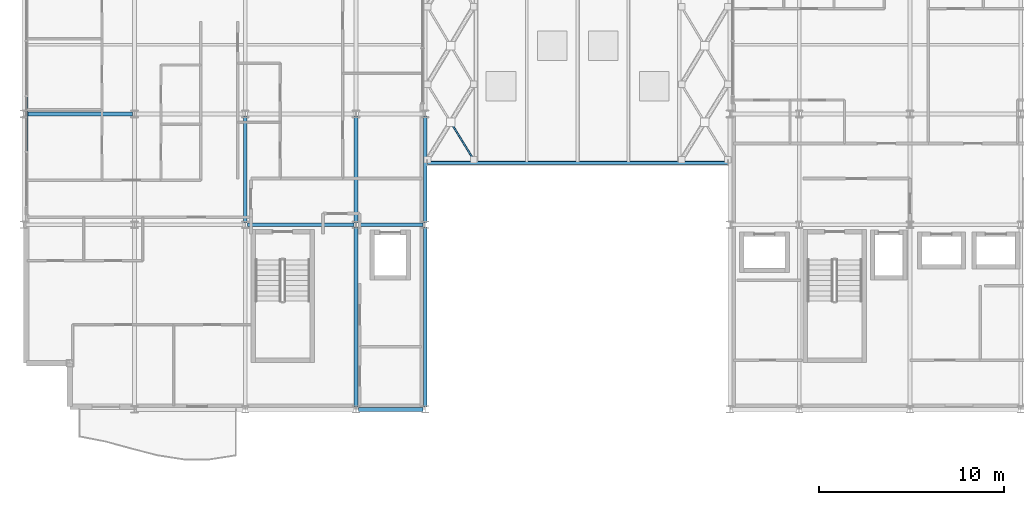
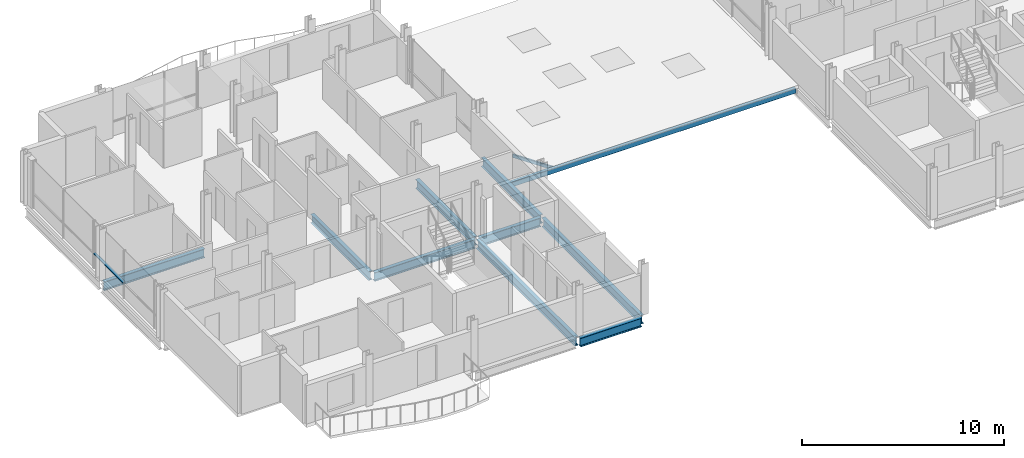
# One storey, part 4 of 33: 9 beams, 3 members, 1 element without a shape of its own.
"""IFC4 building model written with IfcOpenShell, lengths in metres."""

from ifc_helpers import new_model, si_unit, direction, frame, origin, origin_2d, place, context, subcontext, project, spatial, hollow_rectangle, i_section, extrude, material, layer, layer_set, material_profile, profile_set, type_object, element, aggregate, save


model = new_model("IFC4")

# Units and contexts
model_context = context("Model", 3, precision=1e-05, world=origin(), true_north=direction((0.0, 1.0)))
body_context = subcontext(model_context, "Body", "Model", "MODEL_VIEW")
ifc_project = project(units=[si_unit("LENGTHUNIT", "METRE"), si_unit("AREAUNIT", "SQUARE_METRE"), si_unit("VOLUMEUNIT", "CUBIC_METRE"), si_unit("PLANEANGLEUNIT", "RADIAN"), si_unit("MASSUNIT", "GRAM", prefix="KILO")], contexts=[model_context])

# Site, building, storey
site_placement = place(None, origin())
site = spatial("IfcSite", under=ifc_project, at=site_placement, CompositionType="ELEMENT")
building_placement = place(site_placement, origin())
building = spatial("IfcBuilding", under=site, at=building_placement, Name="Brevholm Reach", CompositionType="ELEMENT")
storey_placement = place(building_placement, frame((0.0, 0.0, 189.39990234375)))
storey = spatial("IfcBuildingStorey", under=building, at=storey_placement, Name="L57", CompositionType="ELEMENT", Elevation=189.39990234375)

# Beams
ifc_material_1 = material(Name="Structural Steel S355J2", Category="steel")
ifc_material_profile_1 = material_profile(ifc_material_1, i_section(OverallWidth=0.209228515625, OverallDepth=0.533203125, WebThickness=0.010009765625, FlangeThickness=0.015625, FilletRadius=0.0126953125, at=origin_2d()), Name="UKB 533x210x92")
ifc_profile_set_1 = profile_set([ifc_material_profile_1], Name="Structural Steel S355J2")
beam_type_1 = type_object("IfcBeamType", Name="BM-SP533", PredefinedType="SPANDREL", material=ifc_profile_set_1)
beam_1_placement = place(storey_placement, frame((18.1201171875, 0.0, -0.4765625), z_axis=(1.0, 0.0, 0.0), x_axis=(0.0, 1.0, 0.0)))
element("IfcBeam", 1, at=beam_1_placement, inside=storey, type_object=beam_type_1, Name="L57 SP-02 Framing Beam", PredefinedType="SPANDREL", context=body_context, shape_type="SweptSolid", body=[
    extrude(i_section(OverallWidth=0.209228515625, OverallDepth=0.533203125, WebThickness=0.010009765625, FlangeThickness=0.015625, FilletRadius=0.0126953125, at=origin_2d()), origin(), (0.0, 0.0, 1.0), 3.509765625),
])
beam_2_placement = place(storey_placement, frame((21.75, 0.1201171875, -0.4765625), z_axis=(0.0, 1.0, 0.0), x_axis=(-1.0, 0.0, 0.0)))
element("IfcBeam", 2, at=beam_2_placement, inside=storey, type_object=beam_type_1, Name="L57 SP-02 Framing Beam", PredefinedType="SPANDREL", context=body_context, shape_type="SweptSolid", body=[
    extrude(i_section(OverallWidth=0.209228515625, OverallDepth=0.533203125, WebThickness=0.010009765625, FlangeThickness=0.015625, FilletRadius=0.0126953125, at=origin_2d()), origin(), (0.0, 0.0, 1.0), 9.759765625),
])
beam_3_placement = place(storey_placement, frame((21.75, 10.1201171875, -0.4765625), z_axis=(0.0, 1.0, 0.0), x_axis=(-1.0, 0.0, 0.0)))
element("IfcBeam", 3, at=beam_3_placement, inside=storey, type_object=beam_type_1, Name="L57 SP-02 Framing Beam", PredefinedType="SPANDREL", context=body_context, shape_type="SweptSolid", body=[
    extrude(i_section(OverallWidth=0.209228515625, OverallDepth=0.533203125, WebThickness=0.010009765625, FlangeThickness=0.015625, FilletRadius=0.0126953125, at=origin_2d()), origin(), (0.0, 0.0, 1.0), 5.759765625),
])
ifc_material_2 = material(Name="Structural Steel S355J2", Category="steel")
ifc_material_profile_2 = material_profile(ifc_material_2, i_section(OverallWidth=0.210693359375, OverallDepth=0.53955078125, WebThickness=0.01171875, FlangeThickness=0.018798828125, FilletRadius=0.0126953125, at=origin_2d()), Name="UKB 533x210x109")
ifc_profile_set_2 = profile_set([ifc_material_profile_2], Name="Structural Steel S355J2")
beam_type_2 = type_object("IfcBeamType", Name="BM-SP539", PredefinedType="SPANDREL", material=ifc_profile_set_2)
beam_4_placement = place(storey_placement, frame((12.1201171875, 10.0, -0.479736328125), z_axis=(1.0, 0.0, 0.0), x_axis=(0.0, 1.0, 0.0)))
element("IfcBeam", 4, at=beam_4_placement, inside=storey, type_object=beam_type_2, Name="L57 SP-01B Framing Beam", PredefinedType="SPANDREL", context=body_context, shape_type="SweptSolid", body=[
    extrude(i_section(OverallWidth=0.210693359375, OverallDepth=0.53955078125, WebThickness=0.01171875, FlangeThickness=0.018798828125, FilletRadius=0.0126953125, at=origin_2d()), origin(), (0.0, 0.0, 1.0), 5.759765625),
])
beam_5_placement = place(storey_placement, frame((18.1201171875, 10.0, -0.479736328125), z_axis=(1.0, 0.0, 0.0), x_axis=(0.0, 1.0, 0.0)))
element("IfcBeam", 5, at=beam_5_placement, inside=storey, type_object=beam_type_2, Name="L57 SP-01B Framing Beam", PredefinedType="SPANDREL", context=body_context, shape_type="SweptSolid", body=[
    extrude(i_section(OverallWidth=0.210693359375, OverallDepth=0.53955078125, WebThickness=0.01171875, FlangeThickness=0.018798828125, FilletRadius=0.0126953125, at=origin_2d()), origin(), (0.0, 0.0, 1.0), 3.509765625),
])
for number, where, z_axis, x_axis, name in (
    (6, (0.1201171875, 16.0, -0.479736328125), (1.0, 0.0, 0.0), (0.0, 1.0, 0.0), "L57 SP-01B Framing Beam"),
    (7, (12.0, 10.1201171875, -0.479736328125), (0.0, 1.0, 0.0), (-1.0, 0.0, 0.0), "L57 SP-01B Framing Beam"),
):
    element("IfcBeam", number, at=place(storey_placement, frame(where, z_axis=z_axis, x_axis=x_axis)), inside=storey, type_object=beam_type_2, Name=name, PredefinedType="SPANDREL", context=body_context, shape_type="SweptSolid", body=[
        extrude(i_section(OverallWidth=0.210693359375, OverallDepth=0.53955078125, WebThickness=0.01171875, FlangeThickness=0.018798828125, FilletRadius=0.0126953125, at=origin_2d()), origin(), (0.0, 0.0, 1.0), 5.759765625),
    ])
beam_6_placement = place(storey_placement, frame((18.0, 0.1201171875, -0.479736328125), z_axis=(0.0, 1.0, 0.0), x_axis=(-1.0, 0.0, 0.0)))
element("IfcBeam", 8, at=beam_6_placement, inside=storey, type_object=beam_type_2, Name="L57 SP-01B Framing Beam", PredefinedType="SPANDREL", context=body_context, shape_type="SweptSolid", body=[
    extrude(i_section(OverallWidth=0.210693359375, OverallDepth=0.53955078125, WebThickness=0.01171875, FlangeThickness=0.018798828125, FilletRadius=0.0126953125, at=origin_2d()), origin(), (0.0, 0.0, 1.0), 9.759765625),
])
beam_7_placement = place(storey_placement, frame((18.0, 10.1201171875, -0.479736328125), z_axis=(0.0, 1.0, 0.0), x_axis=(-1.0, 0.0, 0.0)))
element("IfcBeam", 9, at=beam_7_placement, inside=storey, type_object=beam_type_2, Name="L57 SP-01B Framing Beam", PredefinedType="SPANDREL", context=body_context, shape_type="SweptSolid", body=[
    extrude(i_section(OverallWidth=0.210693359375, OverallDepth=0.53955078125, WebThickness=0.01171875, FlangeThickness=0.018798828125, FilletRadius=0.0126953125, at=origin_2d()), origin(), (0.0, 0.0, 1.0), 5.759765625),
])

# Curtain wall, member
ifc_material_3 = material(Name="Dark Anodised Aluminium 6063-T6 and Solar-Control Glass", Category="aluminium")
ifc_layer = layer(ifc_material_3, 0.14990234375)
ifc_layer_set = layer_set([ifc_layer], Name="Dark Anodised Aluminium 6063-T6 and Solar-Control Glass")
curtain_wall_type = type_object("IfcCurtainWallType", Name="CW-01", PredefinedType="NOTDEFINED", material=ifc_layer_set)
curtain_wall_placement = place(storey_placement, origin())
curtain_wall = element("IfcCurtainWall", 10, at=curtain_wall_placement, inside=storey, type_object=curtain_wall_type, Name="L57 Curtain Wall CW-01", PredefinedType="NOTDEFINED")
ifc_material_4 = material(Name="Dark Anodised Aluminium 6063-T6", Category="aluminium")
ifc_material_profile_3 = material_profile(ifc_material_4, hollow_rectangle(XDim=0.06494140625, YDim=0.14990234375, WallThickness=0.0048828125, InnerFilletRadius=0.0048828125, OuterFilletRadius=0.010009765625, at=origin_2d()), Name="RHS 150x65x5")
ifc_profile_set_3 = profile_set([ifc_material_profile_3], Name="Dark Anodised Aluminium 6063-T6")
member_type_1 = type_object("IfcMemberType", Name="CWT-150", PredefinedType="NOTDEFINED", material=ifc_profile_set_3)
member_1_placement = place(storey_placement, frame((0.14990234375, 16.91748046875, 0.900146484375), z_axis=(0.0, -1.0, 0.0), x_axis=(0.0, 0.0, 1.0)))
member_1 = element("IfcMember", 11, at=member_1_placement, type_object=member_type_1, Name="CT-150 Transom 3.1", ObjectType="TRANSOM", PredefinedType="USERDEFINED", context=body_context, shape_type="SweptSolid", body=[
    extrude(hollow_rectangle(XDim=0.06494140625, YDim=0.14990234375, WallThickness=0.0048828125, InnerFilletRadius=0.0048828125, OuterFilletRadius=0.010009765625, at=origin_2d()), origin(), (0.0, 0.0, 1.0), 2.93505859375),
])
aggregate(curtain_wall, [member_1])

# Members
ifc_material_5 = material(Name="Structural Steel S355J2H", Category="steel")
ifc_material_profile_4 = material_profile(ifc_material_5, hollow_rectangle(XDim=0.10009765625, YDim=0.199951171875, WallThickness=0.008056640625, InnerFilletRadius=0.008056640625, OuterFilletRadius=0.01611328125, at=origin_2d()), Name="RHS 200x100x8")
ifc_profile_set_4 = profile_set([ifc_material_profile_4], Name="Structural Steel S355J2H")
member_type_2 = type_object("IfcMemberType", Name="MEM-BR-RHS200", PredefinedType="BRACE", material=ifc_profile_set_4)
member_2_placement = place(storey_placement, frame((23.20361328125, 15.423583984375, -0.35498046875), z_axis=(0.522497948974, -0.852640541681, 0.0), x_axis=(0.852640541681, 0.522497948974, 0.0)))
element("IfcMember", 12, at=member_2_placement, inside=storey, type_object=member_type_2, Name="L57 Skylight Secondary Wind Tie 1B", PredefinedType="BRACE", context=body_context, shape_type="SweptSolid", body=[
    extrude(hollow_rectangle(XDim=0.10009765625, YDim=0.199951171875, WallThickness=0.008056640625, InnerFilletRadius=0.008056640625, OuterFilletRadius=0.01611328125, at=origin_2d()), origin(), (0.0, 0.0, 1.0), 2.232666015625),
])
ifc_material_6 = material(Name="Structural Steel S355J2H", Category="steel")
ifc_material_profile_5 = material_profile(ifc_material_6, hollow_rectangle(XDim=0.199951171875, YDim=0.300048828125, WallThickness=0.012451171875, InnerFilletRadius=0.011962890625, OuterFilletRadius=0.02392578125, at=origin_2d()), Name="RHS 300x200x12.5")
ifc_profile_set_5 = profile_set([ifc_material_profile_5], Name="Structural Steel S355J2H")
member_type_3 = type_object("IfcMemberType", Name="MEM-CH-RHS300", PredefinedType="CHORD", material=ifc_profile_set_5)
member_3_placement = place(storey_placement, frame((21.860107421875, 13.35009765625, -0.35498046875), z_axis=(1.0, 0.0, 0.0), x_axis=(0.0, 1.0, 0.0)))
element("IfcMember", 13, at=member_3_placement, inside=storey, type_object=member_type_3, Name="L57 Atrium Skylight Header Chord 1", PredefinedType="CHORD", context=body_context, shape_type="SweptSolid", body=[
    extrude(hollow_rectangle(XDim=0.199951171875, YDim=0.300048828125, WallThickness=0.012451171875, InnerFilletRadius=0.011962890625, OuterFilletRadius=0.02392578125, at=origin_2d()), origin(), (0.0, 0.0, 1.0), 16.27978515625),
])

save(model, "model.ifc")
